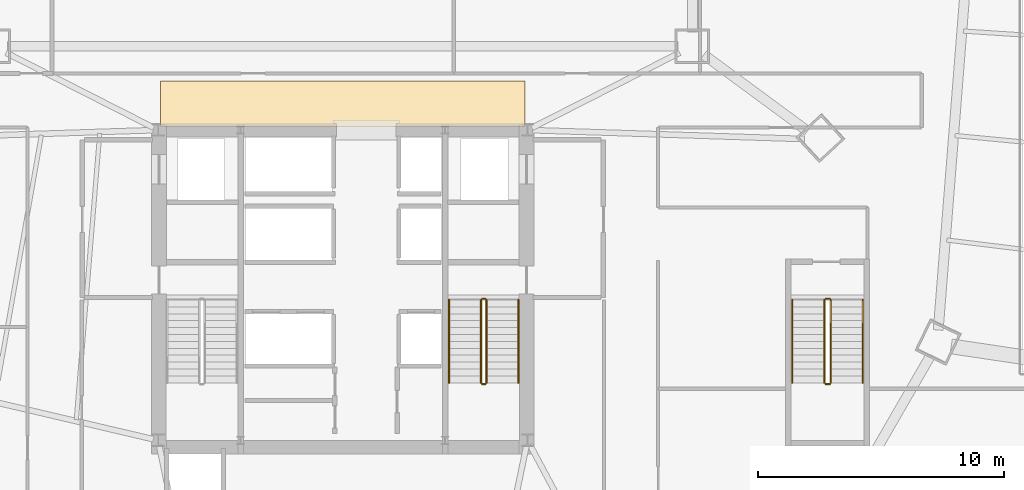
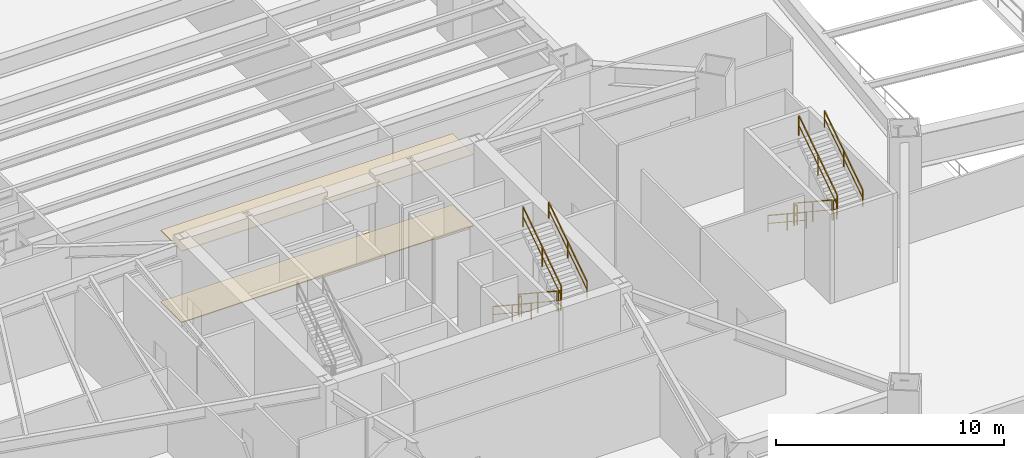
# One storey, part 10 of 11: 12 railings, 2 coverings.
"""IFC4 building model written with IfcOpenShell, lengths in metres."""

from ifc_helpers import new_model, si_unit, direction, frame, origin, origin_2d, place, context, subcontext, project, spatial, polyline, rectangle, outline, extrude, material, layer, layer_set, type_object, element, save


model = new_model("IFC4")

# Units and contexts
model_context = context("Model", 3, precision=1e-05, world=origin(), true_north=direction((0.0, 1.0)))
body_context = subcontext(model_context, "Body", "Model", "MODEL_VIEW")
ifc_project = project(units=[si_unit("LENGTHUNIT", "METRE"), si_unit("AREAUNIT", "SQUARE_METRE"), si_unit("VOLUMEUNIT", "CUBIC_METRE"), si_unit("PLANEANGLEUNIT", "RADIAN"), si_unit("MASSUNIT", "GRAM", prefix="KILO")], contexts=[model_context])

# Site, building, storey
site_placement = place(None, origin())
site = spatial("IfcSite", under=ifc_project, at=site_placement, CompositionType="ELEMENT")
building_placement = place(site_placement, origin())
building = spatial("IfcBuilding", under=site, at=building_placement, Name="Caelisora Broadcast Tower", CompositionType="ELEMENT")
storey_placement = place(building_placement, frame((0.0, 0.0, 5.39990234375)))
storey = spatial("IfcBuildingStorey", under=building, at=storey_placement, Name="L01", CompositionType="ELEMENT", Elevation=5.39990234375)

# Coverings
ifc_material_1 = material(Name="Perforated Mineral-Fibre Acoustic Ceiling Tile", Category="gypsum")
ifc_layer_1 = layer(ifc_material_1, 0.034912109375, Name="Perforated Mineral-Fibre Acoustic Ceiling Tile")
ifc_layer_set_1 = layer_set([ifc_layer_1], Name="Perforated Mineral-Fibre Acoustic Ceiling Tile")
covering_type_1 = type_object("IfcCoveringType", Name="CE-1", PredefinedType="CEILING", material=ifc_layer_set_1)
covering_1_placement = place(storey_placement, frame((0.0, 0.0, 3.830078125)))
element("IfcCovering", 1, at=covering_1_placement, inside=storey, type_object=covering_type_1, Name="L01 acoustic corridor ceiling CE-1 (N)", PredefinedType="CEILING", context=body_context, shape_type="SweptSolid", body=[
    extrude(outline(polyline([(30.60009765625, 30.14990234375), (45.39990234375, 30.14990234375), (45.39990234375, 32.0), (30.60009765625, 32.0), (30.60009765625, 30.14990234375)])), origin(), (0.0, 0.0, 1.0), 0.034912109375),
])
ifc_material_2 = material(Name="Anti-Static Broadcast Raised Access Floor Panel", Category="steel")
ifc_layer_2 = layer(ifc_material_2, 0.044921875, Name="Anti-Static Broadcast Raised Access Floor Panel")
ifc_layer_set_2 = layer_set([ifc_layer_2], Name="Anti-Static Broadcast Raised Access Floor Panel")
covering_type_2 = type_object("IfcCoveringType", Name="FL-1", PredefinedType="FLOORING", material=ifc_layer_set_2)
covering_2_placement = place(storey_placement, origin())
element("IfcCovering", 2, at=covering_2_placement, inside=storey, type_object=covering_type_2, Name="L01 broadcast raised access floor FL-1 (N)", PredefinedType="FLOORING", context=body_context, shape_type="SweptSolid", body=[
    extrude(outline(polyline([(30.60009765625, 30.14990234375), (45.39990234375, 30.14990234375), (45.39990234375, 32.0), (30.60009765625, 32.0), (30.60009765625, 30.14990234375)])), origin(), (0.0, 0.0, 1.0), 0.045166015625),
])

# Railings
ifc_material_3 = material(Name="Galvanised Steel Safety Guardrail", Category="steel")
ifc_layer_3 = layer(ifc_material_3, 0.048095703125, Name="Galvanised Steel Safety Guardrail")
ifc_layer_set_3 = layer_set([ifc_layer_3], Name="Galvanised Steel Safety Guardrail")
railing_type_1 = type_object("IfcRailingType", Name="GR-1", PredefinedType="GUARDRAIL", material=ifc_layer_set_3)
railing_1_placement = place(storey_placement, frame((43.610107421875, 23.10009765625, 0.184814453125)))
element("IfcRailing", 3, at=railing_1_placement, inside=storey, type_object=railing_type_1, Name="L01 ST-2 stair guard 1", PredefinedType="GUARDRAIL", context=body_context, shape_type="SweptSolid", body=[
    extrude(rectangle(XDim=0.048095703125, YDim=0.048095703125, at=origin_2d()), frame((0.0, 0.0, 1.076171875), z_axis=(0.0, -0.834876476806, 0.550437342915), x_axis=(1.0, 0.0, 0.0)), (0.0, 0.0, 1.0), 4.024658203125),
    extrude(rectangle(XDim=0.03125, YDim=0.03125, at=origin_2d()), frame((0.0, 0.0, 0.550048828125), z_axis=(0.0, -0.834876476806, 0.550437342915), x_axis=(1.0, 0.0, 0.0)), (0.0, 0.0, 1.0), 4.024658203125),
    extrude(rectangle(XDim=0.0419921875, YDim=0.0419921875, at=origin_2d()), origin(), (0.0, 0.0, 1.0), 1.052001953125),
    extrude(rectangle(XDim=0.0419921875, YDim=0.0419921875, at=origin_2d()), frame((0.0, -1.68017578125, 1.107666015625)), (0.0, 0.0, 1.0), 1.052001953125),
    extrude(rectangle(XDim=0.0419921875, YDim=0.0419921875, at=origin_2d()), frame((0.0, -3.360107421875, 2.21533203125)), (0.0, 0.0, 1.0), 1.052001953125),
])
railing_2_placement = place(storey_placement, frame((43.659912109375, 19.68994140625, 2.400146484375)))
element("IfcRailing", 4, at=railing_2_placement, inside=storey, type_object=railing_type_1, Name="L01 ST-2 stair guard 2", PredefinedType="GUARDRAIL", context=body_context, shape_type="SweptSolid", body=[
    extrude(rectangle(XDim=0.048095703125, YDim=0.048095703125, at=origin_2d()), frame((0.0, 0.0, 1.076171875), z_axis=(1.0, 0.0, 0.0), x_axis=(0.0, 1.0, 0.0)), (0.0, 0.0, 1.0), 0.1201171875),
    extrude(rectangle(XDim=0.03125, YDim=0.03125, at=origin_2d()), frame((0.0, 0.0, 0.550048828125), z_axis=(1.0, 0.0, 0.0), x_axis=(0.0, 1.0, 0.0)), (0.0, 0.0, 1.0), 0.1201171875),
    extrude(rectangle(XDim=0.0419921875, YDim=0.0419921875, at=origin_2d()), origin(), (0.0, 0.0, 1.0), 1.052001953125),
    extrude(rectangle(XDim=0.0419921875, YDim=0.0419921875, at=origin_2d()), frame((0.1201171875, 0.0, 0.0)), (0.0, 0.0, 1.0), 1.052001953125),
])
railing_3_placement = place(storey_placement, frame((43.830078125, 19.739990234375, 2.584716796875)))
element("IfcRailing", 5, at=railing_3_placement, inside=storey, type_object=railing_type_1, Name="L01 ST-2 stair guard 3", PredefinedType="GUARDRAIL", context=body_context, shape_type="SweptSolid", body=[
    extrude(rectangle(XDim=0.048095703125, YDim=0.048095703125, at=origin_2d()), frame((0.0, 0.0, 1.076171875), z_axis=(0.0, 0.834876476806, 0.550437342915), x_axis=(-1.0, 0.0, 0.0)), (0.0, 0.0, 1.0), 4.024658203125),
    extrude(rectangle(XDim=0.03125, YDim=0.03125, at=origin_2d()), frame((0.0, 0.0, 0.550048828125), z_axis=(0.0, 0.834876476806, 0.550437342915), x_axis=(-1.0, 0.0, 0.0)), (0.0, 0.0, 1.0), 4.024658203125),
    extrude(rectangle(XDim=0.0419921875, YDim=0.0419921875, at=origin_2d()), origin(), (0.0, 0.0, 1.0), 1.052001953125),
    extrude(rectangle(XDim=0.0419921875, YDim=0.0419921875, at=origin_2d()), frame((0.0, 1.68017578125, 1.107666015625)), (0.0, 0.0, 1.0), 1.052001953125),
    extrude(rectangle(XDim=0.0419921875, YDim=0.0419921875, at=origin_2d()), frame((0.0, 3.360107421875, 2.21533203125)), (0.0, 0.0, 1.0), 1.052001953125),
])
railing_4_placement = place(storey_placement, frame((43.659912109375, 23.14990234375, 0.0)))
element("IfcRailing", 6, at=railing_4_placement, inside=storey, type_object=railing_type_1, Name="L01 ST-2 stair guard 4", PredefinedType="GUARDRAIL", context=body_context, shape_type="SweptSolid", body=[
    extrude(rectangle(XDim=0.048095703125, YDim=0.048095703125, at=origin_2d()), frame((0.0, 0.0, 1.076171875), z_axis=(1.0, 0.0, 0.0), x_axis=(0.0, 1.0, 0.0)), (0.0, 0.0, 1.0), 0.1201171875),
    extrude(rectangle(XDim=0.03125, YDim=0.03125, at=origin_2d()), frame((0.0, 0.0, 0.550048828125), z_axis=(1.0, 0.0, 0.0), x_axis=(0.0, 1.0, 0.0)), (0.0, 0.0, 1.0), 0.1201171875),
    extrude(rectangle(XDim=0.0419921875, YDim=0.0419921875, at=origin_2d()), origin(), (0.0, 0.0, 1.0), 1.052001953125),
    extrude(rectangle(XDim=0.0419921875, YDim=0.0419921875, at=origin_2d()), frame((0.1201171875, 0.0, 0.0)), (0.0, 0.0, 1.0), 1.052001953125),
])
railing_5_placement = place(storey_placement, frame((57.550048828125, 23.10009765625, 0.184814453125)))
element("IfcRailing", 7, at=railing_5_placement, inside=storey, type_object=railing_type_1, Name="L01 ST-3 stair guard 1", PredefinedType="GUARDRAIL", context=body_context, shape_type="SweptSolid", body=[
    extrude(rectangle(XDim=0.048095703125, YDim=0.048095703125, at=origin_2d()), frame((0.0, 0.0, 1.076171875), z_axis=(0.0, -0.834876476806, 0.550437342915), x_axis=(1.0, 0.0, 0.0)), (0.0, 0.0, 1.0), 4.024658203125),
    extrude(rectangle(XDim=0.03125, YDim=0.03125, at=origin_2d()), frame((0.0, 0.0, 0.550048828125), z_axis=(0.0, -0.834876476806, 0.550437342915), x_axis=(1.0, 0.0, 0.0)), (0.0, 0.0, 1.0), 4.024658203125),
    extrude(rectangle(XDim=0.0419921875, YDim=0.0419921875, at=origin_2d()), origin(), (0.0, 0.0, 1.0), 1.052001953125),
    extrude(rectangle(XDim=0.0419921875, YDim=0.0419921875, at=origin_2d()), frame((0.0, -1.68017578125, 1.107666015625)), (0.0, 0.0, 1.0), 1.052001953125),
    extrude(rectangle(XDim=0.0419921875, YDim=0.0419921875, at=origin_2d()), frame((0.0, -3.360107421875, 2.21533203125)), (0.0, 0.0, 1.0), 1.052001953125),
])
railing_6_placement = place(storey_placement, frame((57.60009765625, 19.68994140625, 2.400146484375)))
element("IfcRailing", 8, at=railing_6_placement, inside=storey, type_object=railing_type_1, Name="L01 ST-3 stair guard 2", PredefinedType="GUARDRAIL", context=body_context, shape_type="SweptSolid", body=[
    extrude(rectangle(XDim=0.048095703125, YDim=0.048095703125, at=origin_2d()), frame((0.0, 0.0, 1.076171875), z_axis=(1.0, 0.0, 0.0), x_axis=(0.0, 1.0, 0.0)), (0.0, 0.0, 1.0), 0.159912109375),
    extrude(rectangle(XDim=0.03125, YDim=0.03125, at=origin_2d()), frame((0.0, 0.0, 0.550048828125), z_axis=(1.0, 0.0, 0.0), x_axis=(0.0, 1.0, 0.0)), (0.0, 0.0, 1.0), 0.159912109375),
    extrude(rectangle(XDim=0.0419921875, YDim=0.0419921875, at=origin_2d()), origin(), (0.0, 0.0, 1.0), 1.052001953125),
    extrude(rectangle(XDim=0.0419921875, YDim=0.0419921875, at=origin_2d()), frame((0.159912109375, 0.0, 0.0)), (0.0, 0.0, 1.0), 1.052001953125),
])
railing_7_placement = place(storey_placement, frame((57.81005859375, 19.739990234375, 2.584716796875)))
element("IfcRailing", 9, at=railing_7_placement, inside=storey, type_object=railing_type_1, Name="L01 ST-3 stair guard 3", PredefinedType="GUARDRAIL", context=body_context, shape_type="SweptSolid", body=[
    extrude(rectangle(XDim=0.048095703125, YDim=0.048095703125, at=origin_2d()), frame((0.0, 0.0, 1.076171875), z_axis=(0.0, 0.834876476806, 0.550437342915), x_axis=(-1.0, 0.0, 0.0)), (0.0, 0.0, 1.0), 4.024658203125),
    extrude(rectangle(XDim=0.03125, YDim=0.03125, at=origin_2d()), frame((0.0, 0.0, 0.550048828125), z_axis=(0.0, 0.834876476806, 0.550437342915), x_axis=(-1.0, 0.0, 0.0)), (0.0, 0.0, 1.0), 4.024658203125),
    extrude(rectangle(XDim=0.0419921875, YDim=0.0419921875, at=origin_2d()), origin(), (0.0, 0.0, 1.0), 1.052001953125),
    extrude(rectangle(XDim=0.0419921875, YDim=0.0419921875, at=origin_2d()), frame((0.0, 1.68017578125, 1.107666015625)), (0.0, 0.0, 1.0), 1.052001953125),
    extrude(rectangle(XDim=0.0419921875, YDim=0.0419921875, at=origin_2d()), frame((0.0, 3.360107421875, 2.21533203125)), (0.0, 0.0, 1.0), 1.052001953125),
])
railing_8_placement = place(storey_placement, frame((57.60009765625, 23.14990234375, 0.0)))
element("IfcRailing", 10, at=railing_8_placement, inside=storey, type_object=railing_type_1, Name="L01 ST-3 stair guard 4", PredefinedType="GUARDRAIL", context=body_context, shape_type="SweptSolid", body=[
    extrude(rectangle(XDim=0.048095703125, YDim=0.048095703125, at=origin_2d()), frame((0.0, 0.0, 1.076171875), z_axis=(1.0, 0.0, 0.0), x_axis=(0.0, 1.0, 0.0)), (0.0, 0.0, 1.0), 0.159912109375),
    extrude(rectangle(XDim=0.03125, YDim=0.03125, at=origin_2d()), frame((0.0, 0.0, 0.550048828125), z_axis=(1.0, 0.0, 0.0), x_axis=(0.0, 1.0, 0.0)), (0.0, 0.0, 1.0), 0.159912109375),
    extrude(rectangle(XDim=0.0419921875, YDim=0.0419921875, at=origin_2d()), origin(), (0.0, 0.0, 1.0), 1.052001953125),
    extrude(rectangle(XDim=0.0419921875, YDim=0.0419921875, at=origin_2d()), frame((0.159912109375, 0.0, 0.0)), (0.0, 0.0, 1.0), 1.052001953125),
])
ifc_material_4 = material(Name="Stainless Steel Grade 316 Tubular Handrail", Category="steel")
ifc_layer_4 = layer(ifc_material_4, 0.048095703125, Name="Stainless Steel Grade 316 Tubular Handrail")
ifc_layer_set_4 = layer_set([ifc_layer_4], Name="Stainless Steel Grade 316 Tubular Handrail")
railing_type_2 = type_object("IfcRailingType", Name="HR-1", PredefinedType="HANDRAIL", material=ifc_layer_set_4)
railing_9_placement = place(storey_placement, frame((42.31005859375, 23.10009765625, 0.184814453125)))
element("IfcRailing", 11, at=railing_9_placement, inside=storey, type_object=railing_type_2, Name="L01 ST-2 stair handrail 1", PredefinedType="HANDRAIL", context=body_context, shape_type="SweptSolid", body=[
    extrude(rectangle(XDim=0.048095703125, YDim=0.048095703125, at=origin_2d()), frame((0.0, 0.0, 0.8759765625), z_axis=(0.0, -0.834876476806, 0.550437342915), x_axis=(1.0, 0.0, 0.0)), (0.0, 0.0, 1.0), 4.024658203125),
    extrude(rectangle(XDim=0.03125, YDim=0.03125, at=origin_2d()), frame((0.0, 0.0, 0.449951171875), z_axis=(0.0, -0.834876476806, 0.550437342915), x_axis=(1.0, 0.0, 0.0)), (0.0, 0.0, 1.0), 4.024658203125),
    extrude(rectangle(XDim=0.0419921875, YDim=0.0419921875, at=origin_2d()), origin(), (0.0, 0.0, 1.0), 0.851806640625),
    extrude(rectangle(XDim=0.0419921875, YDim=0.0419921875, at=origin_2d()), frame((0.0, -1.68017578125, 1.107666015625)), (0.0, 0.0, 1.0), 0.851806640625),
    extrude(rectangle(XDim=0.0419921875, YDim=0.0419921875, at=origin_2d()), frame((0.0, -3.360107421875, 2.21533203125)), (0.0, 0.0, 1.0), 0.851806640625),
])
railing_10_placement = place(storey_placement, frame((45.1298828125, 19.739990234375, 2.584716796875)))
element("IfcRailing", 12, at=railing_10_placement, inside=storey, type_object=railing_type_2, Name="L01 ST-2 stair handrail 2", PredefinedType="HANDRAIL", context=body_context, shape_type="SweptSolid", body=[
    extrude(rectangle(XDim=0.048095703125, YDim=0.048095703125, at=origin_2d()), frame((0.0, 0.0, 0.8759765625), z_axis=(0.0, 0.834876476806, 0.550437342915), x_axis=(-1.0, 0.0, 0.0)), (0.0, 0.0, 1.0), 4.024658203125),
    extrude(rectangle(XDim=0.03125, YDim=0.03125, at=origin_2d()), frame((0.0, 0.0, 0.449951171875), z_axis=(0.0, 0.834876476806, 0.550437342915), x_axis=(-1.0, 0.0, 0.0)), (0.0, 0.0, 1.0), 4.024658203125),
    extrude(rectangle(XDim=0.0419921875, YDim=0.0419921875, at=origin_2d()), origin(), (0.0, 0.0, 1.0), 0.851806640625),
    extrude(rectangle(XDim=0.0419921875, YDim=0.0419921875, at=origin_2d()), frame((0.0, 1.68017578125, 1.107666015625)), (0.0, 0.0, 1.0), 0.851806640625),
    extrude(rectangle(XDim=0.0419921875, YDim=0.0419921875, at=origin_2d()), frame((0.0, 3.360107421875, 2.21533203125)), (0.0, 0.0, 1.0), 0.851806640625),
])
railing_11_placement = place(storey_placement, frame((56.25, 23.10009765625, 0.184814453125)))
element("IfcRailing", 13, at=railing_11_placement, inside=storey, type_object=railing_type_2, Name="L01 ST-3 stair handrail 1", PredefinedType="HANDRAIL", context=body_context, shape_type="SweptSolid", body=[
    extrude(rectangle(XDim=0.048095703125, YDim=0.048095703125, at=origin_2d()), frame((0.0, 0.0, 0.8759765625), z_axis=(0.0, -0.834876476806, 0.550437342915), x_axis=(1.0, 0.0, 0.0)), (0.0, 0.0, 1.0), 4.024658203125),
    extrude(rectangle(XDim=0.03125, YDim=0.03125, at=origin_2d()), frame((0.0, 0.0, 0.449951171875), z_axis=(0.0, -0.834876476806, 0.550437342915), x_axis=(1.0, 0.0, 0.0)), (0.0, 0.0, 1.0), 4.024658203125),
    extrude(rectangle(XDim=0.0419921875, YDim=0.0419921875, at=origin_2d()), origin(), (0.0, 0.0, 1.0), 0.851806640625),
    extrude(rectangle(XDim=0.0419921875, YDim=0.0419921875, at=origin_2d()), frame((0.0, -1.68017578125, 1.107666015625)), (0.0, 0.0, 1.0), 0.851806640625),
    extrude(rectangle(XDim=0.0419921875, YDim=0.0419921875, at=origin_2d()), frame((0.0, -3.360107421875, 2.21533203125)), (0.0, 0.0, 1.0), 0.851806640625),
])
railing_12_placement = place(storey_placement, frame((59.110107421875, 19.739990234375, 2.584716796875)))
element("IfcRailing", 14, at=railing_12_placement, inside=storey, type_object=railing_type_2, Name="L01 ST-3 stair handrail 2", PredefinedType="HANDRAIL", context=body_context, shape_type="SweptSolid", body=[
    extrude(rectangle(XDim=0.048095703125, YDim=0.048095703125, at=origin_2d()), frame((0.0, 0.0, 0.8759765625), z_axis=(0.0, 0.834876476806, 0.550437342915), x_axis=(-1.0, 0.0, 0.0)), (0.0, 0.0, 1.0), 4.024658203125),
    extrude(rectangle(XDim=0.03125, YDim=0.03125, at=origin_2d()), frame((0.0, 0.0, 0.449951171875), z_axis=(0.0, 0.834876476806, 0.550437342915), x_axis=(-1.0, 0.0, 0.0)), (0.0, 0.0, 1.0), 4.024658203125),
    extrude(rectangle(XDim=0.0419921875, YDim=0.0419921875, at=origin_2d()), origin(), (0.0, 0.0, 1.0), 0.851806640625),
    extrude(rectangle(XDim=0.0419921875, YDim=0.0419921875, at=origin_2d()), frame((0.0, 1.68017578125, 1.107666015625)), (0.0, 0.0, 1.0), 0.851806640625),
    extrude(rectangle(XDim=0.0419921875, YDim=0.0419921875, at=origin_2d()), frame((0.0, 3.360107421875, 2.21533203125)), (0.0, 0.0, 1.0), 0.851806640625),
])

save(model, "model.ifc")
